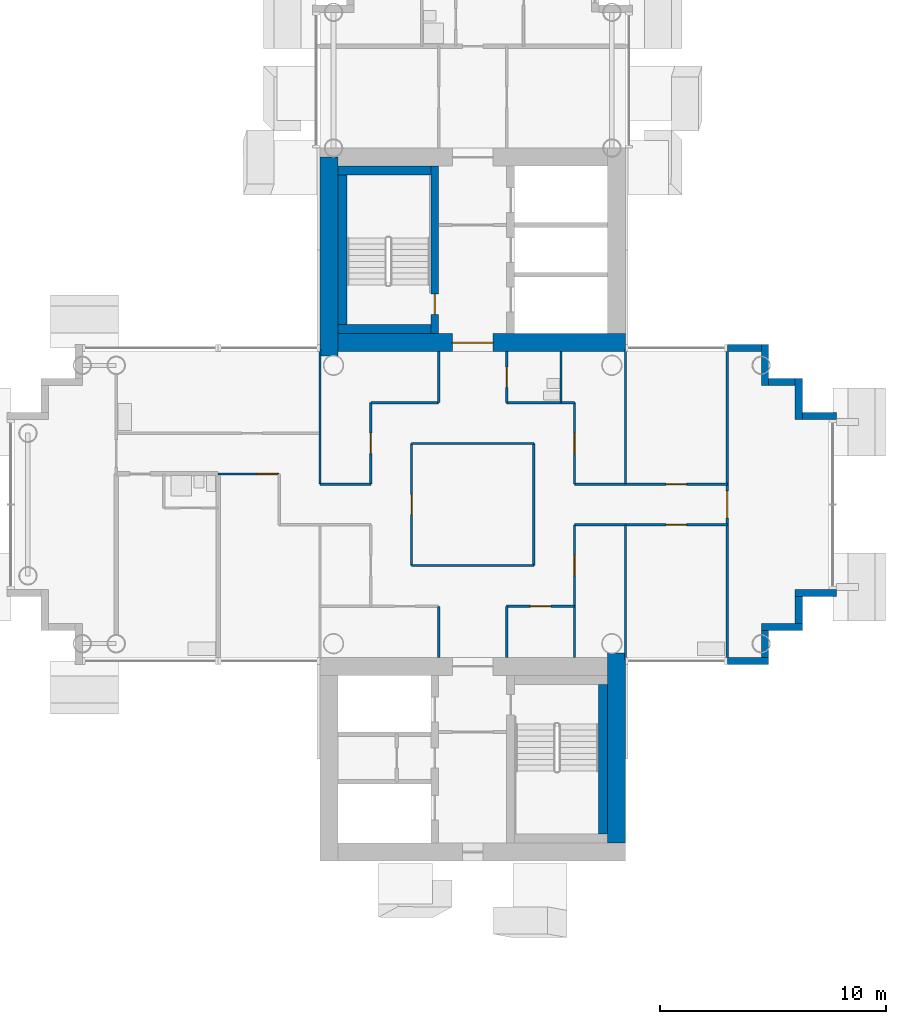
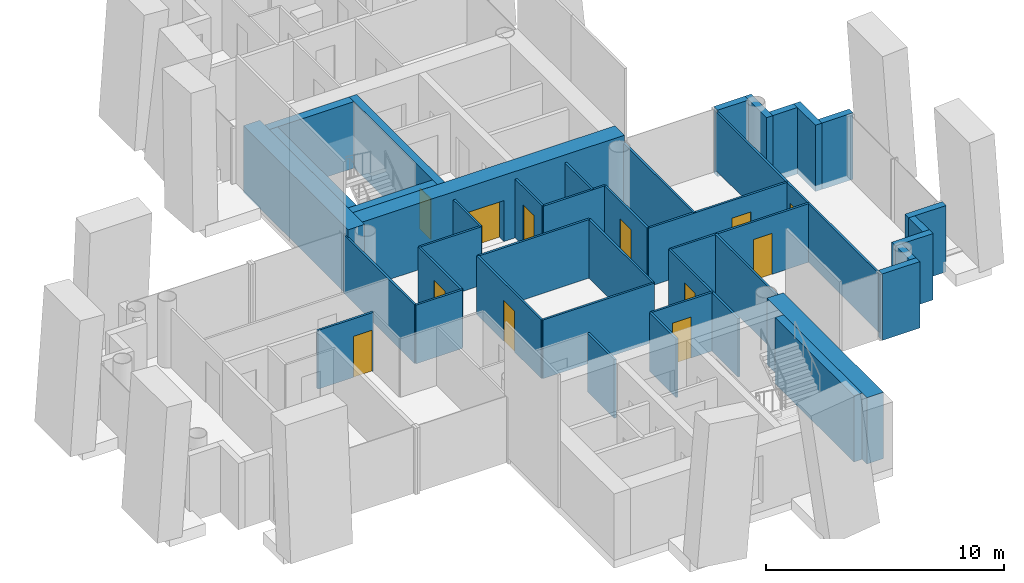
# One storey, part 10 of 19: 41 walls, 12 doors, 12 openings.
"""IFC4 building model written with IfcOpenShell, lengths in metres."""

from ifc_helpers import new_model, si_unit, direction, frame, frame_2d, origin, place, context, subcontext, project, spatial, rectangle, extrude, material, layer, layer_set, type_object, element, fill, save


model = new_model("IFC4")

# Units and contexts
model_context = context("Model", 3, precision=1e-05, world=origin(), true_north=direction((0.0, 1.0)))
body_context = subcontext(model_context, "Body", "Model", "MODEL_VIEW")
ifc_project = project(units=[si_unit("LENGTHUNIT", "METRE"), si_unit("AREAUNIT", "SQUARE_METRE"), si_unit("VOLUMEUNIT", "CUBIC_METRE"), si_unit("PLANEANGLEUNIT", "RADIAN"), si_unit("MASSUNIT", "GRAM", prefix="KILO")], contexts=[model_context])

# Site, building, storey
site_placement = place(None, origin())
site = spatial("IfcSite", under=ifc_project, at=site_placement, CompositionType="ELEMENT")
building_placement = place(site_placement, origin())
building = spatial("IfcBuilding", under=site, at=building_placement, Name="Ipe Terrace Towers", CompositionType="ELEMENT")
storey_placement = place(building_placement, frame((0.0, 0.0, 137.10009765625)))
storey = spatial("IfcBuildingStorey", under=building, at=storey_placement, Name="L37", CompositionType="ELEMENT", Elevation=137.10009765625)

# Walls
ifc_material_1 = material(Name="Concrete C40/50 with buff precast cladding", Category="concrete")
ifc_layer_1 = layer(ifc_material_1, 0.320068359375)
ifc_layer_set_1 = layer_set([ifc_layer_1], Name="BUFF CLADDING WALL 320")
wall_type_1 = type_object("IfcWallType", Name="BUFF CLADDING WALL 320", PredefinedType="STANDARD", material=ifc_layer_set_1)
wall_1_placement = place(storey_placement, frame((47.25, -6.909912109375, -0.300048828125), z_axis=(0.0, 0.0, 1.0), x_axis=(1.0, 0.0, 0.0)))
element("IfcWall", 1, at=wall_1_placement, inside=storey, type_object=wall_type_1, Name="T2-W-L37-03a wall", PredefinedType="STANDARD", context=body_context, shape_type="SweptSolid", body=[
    extrude(rectangle(XDim=1.820068359375, YDim=0.320068359375, at=frame_2d((0.91015625, 0.0))), origin(), (0.0, 0.0, 1.0), 3.39990234375),
])
wall_2_placement = place(storey_placement, frame((48.909912109375, -6.75, -0.300048828125), z_axis=(0.0, 0.0, 1.0), x_axis=(0.0, 1.0, 0.0)))
element("IfcWall", 2, at=wall_2_placement, inside=storey, type_object=wall_type_1, Name="T2-W-L37-04a wall", PredefinedType="STANDARD", context=body_context, shape_type="SweptSolid", body=[
    extrude(rectangle(XDim=1.179931640625, YDim=0.320068359375, at=frame_2d((0.58984375, 0.0))), origin(), (0.0, 0.0, 1.0), 3.39990234375),
])
wall_3_placement = place(storey_placement, frame((48.75, -5.409912109375, -0.300048828125), z_axis=(0.0, 0.0, 1.0), x_axis=(1.0, 0.0, 0.0)))
element("IfcWall", 3, at=wall_3_placement, inside=storey, type_object=wall_type_1, Name="T2-W-L37-05a wall", PredefinedType="STANDARD", context=body_context, shape_type="SweptSolid", body=[
    extrude(rectangle(XDim=1.820068359375, YDim=0.320068359375, at=frame_2d((0.91015625, 0.0))), origin(), (0.0, 0.0, 1.0), 3.39990234375),
])
wall_4_placement = place(storey_placement, frame((50.409912109375, -5.25, -0.300048828125), z_axis=(0.0, 0.0, 1.0), x_axis=(0.0, 1.0, 0.0)))
element("IfcWall", 4, at=wall_4_placement, inside=storey, type_object=wall_type_1, Name="T2-W-L37-06a wall", PredefinedType="STANDARD", context=body_context, shape_type="SweptSolid", body=[
    extrude(rectangle(XDim=1.179931640625, YDim=0.320068359375, at=frame_2d((0.58984375, 0.0))), origin(), (0.0, 0.0, 1.0), 3.39990234375),
])
wall_5_placement = place(storey_placement, frame((50.25, -3.909912109375, -0.300048828125), z_axis=(0.0, 0.0, 1.0), x_axis=(1.0, 0.0, 0.0)))
element("IfcWall", 5, at=wall_5_placement, inside=storey, type_object=wall_type_1, Name="T2-W-L37-07a wall", PredefinedType="STANDARD", context=body_context, shape_type="SweptSolid", body=[
    extrude(rectangle(XDim=1.820068359375, YDim=0.320068359375, at=frame_2d((0.91015625, 0.0))), origin(), (0.0, 0.0, 1.0), 3.39990234375),
])
wall_6_placement = place(storey_placement, frame((52.070068359375, 3.909912109375, -0.300048828125), z_axis=(0.0, 0.0, 1.0), x_axis=(-1.0, 0.0, 0.0)))
element("IfcWall", 6, at=wall_6_placement, inside=storey, type_object=wall_type_1, Name="T2-W-L37-09a wall", PredefinedType="STANDARD", context=body_context, shape_type="SweptSolid", body=[
    extrude(rectangle(XDim=1.5, YDim=0.320068359375, at=frame_2d((0.75, 0.0))), origin(), (0.0, 0.0, 1.0), 3.39990234375),
])
wall_7_placement = place(storey_placement, frame((50.409912109375, 3.75, -0.300048828125), z_axis=(0.0, 0.0, 1.0), x_axis=(0.0, 1.0, 0.0)))
element("IfcWall", 7, at=wall_7_placement, inside=storey, type_object=wall_type_1, Name="T2-W-L37-10a wall", PredefinedType="STANDARD", context=body_context, shape_type="SweptSolid", body=[
    extrude(rectangle(XDim=1.820068359375, YDim=0.320068359375, at=frame_2d((0.91015625, 0.0))), origin(), (0.0, 0.0, 1.0), 3.39990234375),
])
wall_8_placement = place(storey_placement, frame((50.25, 5.409912109375, -0.300048828125), z_axis=(0.0, 0.0, 1.0), x_axis=(-1.0, 0.0, 0.0)))
element("IfcWall", 8, at=wall_8_placement, inside=storey, type_object=wall_type_1, Name="T2-W-L37-11a wall", PredefinedType="STANDARD", context=body_context, shape_type="SweptSolid", body=[
    extrude(rectangle(XDim=1.179931640625, YDim=0.320068359375, at=frame_2d((0.58984375, 0.0))), origin(), (0.0, 0.0, 1.0), 3.39990234375),
])
wall_9_placement = place(storey_placement, frame((48.909912109375, 5.25, -0.300048828125), z_axis=(0.0, 0.0, 1.0), x_axis=(0.0, 1.0, 0.0)))
element("IfcWall", 9, at=wall_9_placement, inside=storey, type_object=wall_type_1, Name="T2-W-L37-12a wall", PredefinedType="STANDARD", context=body_context, shape_type="SweptSolid", body=[
    extrude(rectangle(XDim=1.820068359375, YDim=0.320068359375, at=frame_2d((0.91015625, 0.0))), origin(), (0.0, 0.0, 1.0), 3.39990234375),
])
wall_10_placement = place(storey_placement, frame((48.75, 6.909912109375, -0.300048828125), z_axis=(0.0, 0.0, 1.0), x_axis=(-1.0, 0.0, 0.0)))
element("IfcWall", 10, at=wall_10_placement, inside=storey, type_object=wall_type_1, Name="T2-W-L37-13a wall", PredefinedType="STANDARD", context=body_context, shape_type="SweptSolid", body=[
    extrude(rectangle(XDim=1.5, YDim=0.320068359375, at=frame_2d((0.75, 0.0))), origin(), (0.0, 0.0, 1.0), 3.39990234375),
])

# Wall, opening, door
ifc_material_2 = material(Name="Gypsum board partition", Category="plasterboard")
ifc_layer_2 = layer(ifc_material_2, 0.10009765625)
ifc_layer_set_2 = layer_set([ifc_layer_2], Name="Gypsum board partition 100 mm")
wall_type_2 = type_object("IfcWallType", Name="Gypsum board partition 100 mm", PredefinedType="PARTITIONING", material=ifc_layer_set_2)
wall_11_placement = place(storey_placement, frame((40.5, -4.5, 0.0), z_axis=(0.0, 0.0, 1.0), x_axis=(-1.0, 0.0, 0.0)))
wall_11 = element("IfcWall", 11, at=wall_11_placement, inside=storey, type_object=wall_type_2, Name="Gypsum board partition T2 L37 W01", PredefinedType="PARTITIONING", context=body_context, shape_type="SweptSolid", body=[
    extrude(rectangle(XDim=3.0, YDim=0.10009765625, at=frame_2d((1.5, 0.0))), origin(), (0.0, 0.0, 1.0), 3.0),
])
opening_1_placement = place(wall_11_placement, frame((1.050048828125, 0.0, 0.0)))
opening_1 = element("IfcOpeningElement", 12, at=opening_1_placement, cuts=wall_11, Name="Opening T2-Z3A-07", PredefinedType="OPENING", context=body_context, shape_type="SweptSolid", body=[
    extrude(rectangle(XDim=0.89990234375, YDim=2.10009765625, at=frame_2d((0.449951171875, 1.050048828125))), frame((0.0, 0.06005859375, 0.0), z_axis=(0.0, -1.0, 0.0), x_axis=(1.0, 0.0, 0.0)), (0.0, 0.0, 1.0), 0.1201171875),
])
ifc_material_3 = material(Name="Timber door leaf", Category="wood")
door_type_1 = type_object("IfcDoorType", Name="Lounge door 900 x 2100", OperationType="NOTDEFINED", PredefinedType="DOOR", material=ifc_material_3)
door_1_placement = place(opening_1_placement, origin())
door_1 = element("IfcDoor", 13, at=door_1_placement, inside=storey, type_object=door_type_1, Name="Lounge door T2-Z3A-07", OperationType="SINGLE_SWING_LEFT", OverallHeight=2.10009765625, OverallWidth=0.89990234375, PredefinedType="DOOR", context=body_context, shape_type="SweptSolid", body=[
    extrude(rectangle(XDim=0.89990234375, YDim=2.10009765625, at=frame_2d((0.449951171875, 1.050048828125))), frame((0.0, 0.02490234375, 0.0), z_axis=(0.0, -1.0, 0.0), x_axis=(1.0, 0.0, 0.0)), (0.0, 0.0, 1.0), 0.050048828125),
])
fill(opening_1, door_1)

# Wall
wall_12_placement = place(storey_placement, frame((38.699951171875, -2.699951171875, 0.0), z_axis=(0.0, 0.0, 1.0), x_axis=(-1.0, 0.0, 0.0)))
element("IfcWall", 14, at=wall_12_placement, inside=storey, type_object=wall_type_2, Name="Gypsum board partition T2 L37 W03", PredefinedType="PARTITIONING", context=body_context, shape_type="SweptSolid", body=[
    extrude(rectangle(XDim=5.39990234375, YDim=0.10009765625, at=frame_2d((2.699951171875, 0.0))), origin(), (0.0, 0.0, 1.0), 3.0),
])

# Wall, opening, door
wall_13_placement = place(storey_placement, frame((47.25, -0.89990234375, 0.0), z_axis=(0.0, 0.0, 1.0), x_axis=(-1.0, 0.0, 0.0)))
wall_13 = element("IfcWall", 15, at=wall_13_placement, inside=storey, type_object=wall_type_2, Name="Gypsum board partition T2 L37 W04", PredefinedType="PARTITIONING", context=body_context, shape_type="SweptSolid", body=[
    extrude(rectangle(XDim=6.75, YDim=0.10009765625, at=frame_2d((3.375, 0.0))), origin(), (0.0, 0.0, 1.0), 3.0),
])
opening_2_placement = place(wall_13_placement, frame((1.800048828125, 0.0, 0.0)))
opening_2 = element("IfcOpeningElement", 16, at=opening_2_placement, cuts=wall_13, Name="Opening T2-Z3A-15", PredefinedType="OPENING", context=body_context, shape_type="SweptSolid", body=[
    extrude(rectangle(XDim=0.89990234375, YDim=2.10009765625, at=frame_2d((0.449951171875, 1.050048828125))), frame((0.0, 0.06005859375, 0.0), z_axis=(0.0, -1.0, 0.0), x_axis=(1.0, 0.0, 0.0)), (0.0, 0.0, 1.0), 0.1201171875),
])
door_2_placement = place(opening_2_placement, origin())
door_2 = element("IfcDoor", 17, at=door_2_placement, inside=storey, type_object=door_type_1, Name="Lounge door T2-Z3A-15", OperationType="SINGLE_SWING_RIGHT", OverallHeight=2.10009765625, OverallWidth=0.89990234375, PredefinedType="DOOR", context=body_context, shape_type="SweptSolid", body=[
    extrude(rectangle(XDim=0.89990234375, YDim=2.10009765625, at=frame_2d((0.449951171875, 1.050048828125))), frame((0.0, 0.02490234375, 0.0), z_axis=(0.0, -1.0, 0.0), x_axis=(1.0, 0.0, 0.0)), (0.0, 0.0, 1.0), 0.050048828125),
])
fill(opening_2, door_2)

wall_14_placement = place(storey_placement, frame((47.25, 0.89990234375, 0.0), z_axis=(0.0, 0.0, 1.0), x_axis=(-1.0, 0.0, 0.0)))
wall_14 = element("IfcWall", 18, at=wall_14_placement, inside=storey, type_object=wall_type_2, Name="Gypsum board partition T2 L37 W07", PredefinedType="PARTITIONING", context=body_context, shape_type="SweptSolid", body=[
    extrude(rectangle(XDim=6.75, YDim=0.10009765625, at=frame_2d((3.375, 0.0))), origin(), (0.0, 0.0, 1.0), 3.0),
])
opening_3_placement = place(wall_14_placement, frame((1.800048828125, 0.0, 0.0)))
opening_3 = element("IfcOpeningElement", 19, at=opening_3_placement, cuts=wall_14, Name="Opening T2-Z3A-14", PredefinedType="OPENING", context=body_context, shape_type="SweptSolid", body=[
    extrude(rectangle(XDim=0.89990234375, YDim=2.10009765625, at=frame_2d((0.449951171875, 1.050048828125))), frame((0.0, 0.06005859375, 0.0), z_axis=(0.0, -1.0, 0.0), x_axis=(1.0, 0.0, 0.0)), (0.0, 0.0, 1.0), 0.1201171875),
])
door_3_placement = place(opening_3_placement, origin())
door_3 = element("IfcDoor", 20, at=door_3_placement, inside=storey, type_object=door_type_1, Name="Lounge door T2-Z3A-14", OperationType="SINGLE_SWING_LEFT", OverallHeight=2.10009765625, OverallWidth=0.89990234375, PredefinedType="DOOR", context=body_context, shape_type="SweptSolid", body=[
    extrude(rectangle(XDim=0.89990234375, YDim=2.10009765625, at=frame_2d((0.449951171875, 1.050048828125))), frame((0.0, 0.02490234375, 0.0), z_axis=(0.0, -1.0, 0.0), x_axis=(1.0, 0.0, 0.0)), (0.0, 0.0, 1.0), 0.050048828125),
])
fill(opening_3, door_3)

# Wall
wall_15_placement = place(storey_placement, frame((31.5, 0.89990234375, 0.0), z_axis=(0.0, 0.0, 1.0), x_axis=(-1.0, 0.0, 0.0)))
element("IfcWall", 21, at=wall_15_placement, inside=storey, type_object=wall_type_2, Name="Gypsum board partition T2 L37 W08", PredefinedType="PARTITIONING", context=body_context, shape_type="SweptSolid", body=[
    extrude(rectangle(XDim=2.25, YDim=0.10009765625, at=frame_2d((1.125, 0.0))), origin(), (0.0, 0.0, 1.0), 3.0),
])

# Wall, opening, door
wall_16_placement = place(storey_placement, frame((27.449951171875, 1.35009765625, 0.0), z_axis=(0.0, 0.0, 1.0), x_axis=(-1.0, 0.0, 0.0)))
wall_16 = element("IfcWall", 22, at=wall_16_placement, inside=storey, type_object=wall_type_2, Name="Gypsum board partition T2 L37 W09", PredefinedType="PARTITIONING", context=body_context, shape_type="SweptSolid", body=[
    extrude(rectangle(XDim=2.699951171875, YDim=0.10009765625, at=frame_2d((1.35009765625, 0.0))), origin(), (0.0, 0.0, 1.0), 3.0),
])
opening_4_placement = place(wall_16_placement, frame((0.070068359375, 0.0, 0.0)))
opening_4 = element("IfcOpeningElement", 23, at=opening_4_placement, cuts=wall_16, Name="Opening T2-Z3A-09", PredefinedType="OPENING", context=body_context, shape_type="SweptSolid", body=[
    extrude(rectangle(XDim=0.89990234375, YDim=2.10009765625, at=frame_2d((0.449951171875, 1.050048828125))), frame((0.0, 0.06005859375, 0.0), z_axis=(0.0, -1.0, 0.0), x_axis=(1.0, 0.0, 0.0)), (0.0, 0.0, 1.0), 0.1201171875),
])
door_4_placement = place(opening_4_placement, origin())
door_4 = element("IfcDoor", 24, at=door_4_placement, inside=storey, type_object=door_type_1, Name="Lounge door T2-Z3A-09", OperationType="SINGLE_SWING_RIGHT", OverallHeight=2.10009765625, OverallWidth=0.89990234375, PredefinedType="DOOR", context=body_context, shape_type="SweptSolid", body=[
    extrude(rectangle(XDim=0.89990234375, YDim=2.10009765625, at=frame_2d((0.449951171875, 1.050048828125))), frame((0.0, 0.02490234375, 0.0), z_axis=(0.0, -1.0, 0.0), x_axis=(1.0, 0.0, 0.0)), (0.0, 0.0, 1.0), 0.050048828125),
])
fill(opening_4, door_4)

# Walls
wall_17_placement = place(storey_placement, frame((38.699951171875, 2.699951171875, 0.0), z_axis=(0.0, 0.0, 1.0), x_axis=(-1.0, 0.0, 0.0)))
element("IfcWall", 25, at=wall_17_placement, inside=storey, type_object=wall_type_2, Name="Gypsum board partition T2 L37 W11", PredefinedType="PARTITIONING", context=body_context, shape_type="SweptSolid", body=[
    extrude(rectangle(XDim=5.39990234375, YDim=0.10009765625, at=frame_2d((2.699951171875, 0.0))), origin(), (0.0, 0.0, 1.0), 3.0),
])
for number, where, z_axis, x_axis, name in (
    (26, (40.5, 4.5, 0.0), (0.0, 0.0, 1.0), (-1.0, 0.0, 0.0), "Gypsum board partition T2 L37 W13"),
    (27, (34.5, 4.5, 0.0), (0.0, 0.0, 1.0), (-1.0, 0.0, 0.0), "Gypsum board partition T2 L37 W14"),
):
    element("IfcWall", number, at=place(storey_placement, frame(where, z_axis=z_axis, x_axis=x_axis)), inside=storey, type_object=wall_type_2, Name=name, PredefinedType="PARTITIONING", context=body_context, shape_type="SweptSolid", body=[
        extrude(rectangle(XDim=3.0, YDim=0.10009765625, at=frame_2d((1.5, 0.0))), origin(), (0.0, 0.0, 1.0), 3.0),
    ])

# Wall, opening, door
wall_18_placement = place(storey_placement, frame((47.25, -6.85009765625, 0.0), z_axis=(0.0, 0.0, 1.0), x_axis=(0.0, 1.0, 0.0)))
wall_18 = element("IfcWall", 28, at=wall_18_placement, inside=storey, type_object=wall_type_2, Name="Gypsum board partition T2 L37 W17", PredefinedType="PARTITIONING", context=body_context, shape_type="SweptSolid", body=[
    extrude(rectangle(XDim=13.7001953125, YDim=0.10009765625, at=frame_2d((6.85009765625, 0.0))), origin(), (0.0, 0.0, 1.0), 3.0),
])
opening_5_placement = place(wall_18_placement, frame((6.25, 0.0, 0.0)))
opening_5 = element("IfcOpeningElement", 29, at=opening_5_placement, cuts=wall_18, Name="Opening T2-Z3A-16", PredefinedType="OPENING", context=body_context, shape_type="SweptSolid", body=[
    extrude(rectangle(XDim=1.199951171875, YDim=2.10009765625, at=frame_2d((0.60009765625, 1.050048828125))), frame((0.0, 0.06005859375, 0.0), z_axis=(0.0, -1.0, 0.0), x_axis=(1.0, 0.0, 0.0)), (0.0, 0.0, 1.0), 0.1201171875),
])
ifc_material_4 = material(Name="Timber door leaf", Category="wood")
door_type_2 = type_object("IfcDoorType", Name="Lounge door 1200 x 2100", OperationType="NOTDEFINED", PredefinedType="DOOR", material=ifc_material_4)
door_5_placement = place(opening_5_placement, origin())
door_5 = element("IfcDoor", 30, at=door_5_placement, inside=storey, type_object=door_type_2, Name="Lounge door T2-Z3A-16", OperationType="SINGLE_SWING_RIGHT", OverallHeight=2.10009765625, OverallWidth=1.199951171875, PredefinedType="DOOR", context=body_context, shape_type="SweptSolid", body=[
    extrude(rectangle(XDim=1.199951171875, YDim=2.10009765625, at=frame_2d((0.60009765625, 1.050048828125))), frame((0.0, 0.02490234375, 0.0), z_axis=(0.0, -1.0, 0.0), x_axis=(1.0, 0.0, 0.0)), (0.0, 0.0, 1.0), 0.050048828125),
])
fill(opening_5, door_5)

# Walls
for number, where, z_axis, x_axis, name in (
    (31, (42.75, -6.85009765625, 0.0), (0.0, 0.0, 1.0), (0.0, 1.0, 0.0), "Gypsum board partition T2 L37 W18"),
    (32, (42.75, 0.89990234375, 0.0), (0.0, 0.0, 1.0), (0.0, 1.0, 0.0), "Gypsum board partition T2 L37 W19"),
):
    element("IfcWall", number, at=place(storey_placement, frame(where, z_axis=z_axis, x_axis=x_axis)), inside=storey, type_object=wall_type_2, Name=name, PredefinedType="PARTITIONING", context=body_context, shape_type="SweptSolid", body=[
        extrude(rectangle(XDim=5.9501953125, YDim=0.10009765625, at=frame_2d((2.97509765625, 0.0))), origin(), (0.0, 0.0, 1.0), 3.0),
    ])

# Wall, opening, door
wall_19_placement = place(storey_placement, frame((40.5, -6.75, 0.0), z_axis=(0.0, 0.0, 1.0), x_axis=(0.0, 1.0, 0.0)))
wall_19 = element("IfcWall", 33, at=wall_19_placement, inside=storey, type_object=wall_type_2, Name="Gypsum board partition T2 L37 W20", PredefinedType="PARTITIONING", context=body_context, shape_type="SweptSolid", body=[
    extrude(rectangle(XDim=5.85009765625, YDim=0.10009765625, at=frame_2d((2.925048828125, 0.0))), origin(), (0.0, 0.0, 1.0), 3.0),
])
opening_6_placement = place(wall_19_placement, frame((3.60009765625, 0.0, 0.0)))
opening_6 = element("IfcOpeningElement", 34, at=opening_6_placement, cuts=wall_19, Name="Opening T2-Z3A-06", PredefinedType="OPENING", context=body_context, shape_type="SweptSolid", body=[
    extrude(rectangle(XDim=0.89990234375, YDim=2.10009765625, at=frame_2d((0.449951171875, 1.050048828125))), frame((0.0, 0.06005859375, 0.0), z_axis=(0.0, -1.0, 0.0), x_axis=(1.0, 0.0, 0.0)), (0.0, 0.0, 1.0), 0.1201171875),
])
door_6_placement = place(opening_6_placement, origin())
door_6 = element("IfcDoor", 35, at=door_6_placement, inside=storey, type_object=door_type_1, Name="Lounge door T2-Z3A-06", OperationType="SINGLE_SWING_RIGHT", OverallHeight=2.10009765625, OverallWidth=0.89990234375, PredefinedType="DOOR", context=body_context, shape_type="SweptSolid", body=[
    extrude(rectangle(XDim=0.89990234375, YDim=2.10009765625, at=frame_2d((0.449951171875, 1.050048828125))), frame((0.0, 0.02490234375, 0.0), z_axis=(0.0, -1.0, 0.0), x_axis=(1.0, 0.0, 0.0)), (0.0, 0.0, 1.0), 0.050048828125),
])
fill(opening_6, door_6)

wall_20_placement = place(storey_placement, frame((40.5, 0.89990234375, 0.0), z_axis=(0.0, 0.0, 1.0), x_axis=(0.0, 1.0, 0.0)))
wall_20 = element("IfcWall", 36, at=wall_20_placement, inside=storey, type_object=wall_type_2, Name="Gypsum board partition T2 L37 W21", PredefinedType="PARTITIONING", context=body_context, shape_type="SweptSolid", body=[
    extrude(rectangle(XDim=3.60009765625, YDim=0.10009765625, at=frame_2d((1.800048828125, 0.0))), origin(), (0.0, 0.0, 1.0), 3.0),
])
opening_7_placement = place(wall_20_placement, frame((1.35009765625, 0.0, 0.0)))
opening_7 = element("IfcOpeningElement", 37, at=opening_7_placement, cuts=wall_20, Name="Opening T2-Z3A-08", PredefinedType="OPENING", context=body_context, shape_type="SweptSolid", body=[
    extrude(rectangle(XDim=0.89990234375, YDim=2.10009765625, at=frame_2d((0.449951171875, 1.050048828125))), frame((0.0, 0.06005859375, 0.0), z_axis=(0.0, -1.0, 0.0), x_axis=(1.0, 0.0, 0.0)), (0.0, 0.0, 1.0), 0.1201171875),
])
door_7_placement = place(opening_7_placement, origin())
door_7 = element("IfcDoor", 38, at=door_7_placement, inside=storey, type_object=door_type_1, Name="Lounge door T2-Z3A-08", OperationType="SINGLE_SWING_RIGHT", OverallHeight=2.10009765625, OverallWidth=0.89990234375, PredefinedType="DOOR", context=body_context, shape_type="SweptSolid", body=[
    extrude(rectangle(XDim=0.89990234375, YDim=2.10009765625, at=frame_2d((0.449951171875, 1.050048828125))), frame((0.0, 0.02490234375, 0.0), z_axis=(0.0, -1.0, 0.0), x_axis=(1.0, 0.0, 0.0)), (0.0, 0.0, 1.0), 0.050048828125),
])
fill(opening_7, door_7)

# Walls
wall_21_placement = place(storey_placement, frame((39.89990234375, 4.5, 0.0), z_axis=(0.0, 0.0, 1.0), x_axis=(0.0, 1.0, 0.0)))
element("IfcWall", 39, at=wall_21_placement, inside=storey, type_object=wall_type_2, Name="Gypsum board partition T2 L37 W22", PredefinedType="PARTITIONING", context=body_context, shape_type="SweptSolid", body=[
    extrude(rectangle(XDim=2.25, YDim=0.10009765625, at=frame_2d((1.125, 0.0))), origin(), (0.0, 0.0, 1.0), 3.0),
])
wall_22_placement = place(storey_placement, frame((38.699951171875, -2.699951171875, 0.0), z_axis=(0.0, 0.0, 1.0), x_axis=(0.0, 1.0, 0.0)))
element("IfcWall", 40, at=wall_22_placement, inside=storey, type_object=wall_type_2, Name="Gypsum board partition T2 L37 W23", PredefinedType="PARTITIONING", context=body_context, shape_type="SweptSolid", body=[
    extrude(rectangle(XDim=5.39990234375, YDim=0.10009765625, at=frame_2d((2.699951171875, 0.0))), origin(), (0.0, 0.0, 1.0), 3.0),
])
wall_23_placement = place(storey_placement, frame((37.5, -6.75, 0.0), z_axis=(0.0, 0.0, 1.0), x_axis=(0.0, 1.0, 0.0)))
element("IfcWall", 41, at=wall_23_placement, inside=storey, type_object=wall_type_2, Name="Gypsum board partition T2 L37 W25", PredefinedType="PARTITIONING", context=body_context, shape_type="SweptSolid", body=[
    extrude(rectangle(XDim=2.25, YDim=0.10009765625, at=frame_2d((1.125, 0.0))), origin(), (0.0, 0.0, 1.0), 3.0),
])

# Wall, opening, door
wall_24_placement = place(storey_placement, frame((37.5, 4.5, 0.0), z_axis=(0.0, 0.0, 1.0), x_axis=(0.0, 1.0, 0.0)))
wall_24 = element("IfcWall", 42, at=wall_24_placement, inside=storey, type_object=wall_type_2, Name="Gypsum board partition T2 L37 W26", PredefinedType="PARTITIONING", context=body_context, shape_type="SweptSolid", body=[
    extrude(rectangle(XDim=2.25, YDim=0.10009765625, at=frame_2d((1.125, 0.0))), origin(), (0.0, 0.0, 1.0), 3.0),
])
opening_8_placement = place(wall_24_placement, frame((0.675048828125, 0.0, 0.0)))
opening_8 = element("IfcOpeningElement", 43, at=opening_8_placement, cuts=wall_24, Name="Opening T2-Z3A-02", PredefinedType="OPENING", context=body_context, shape_type="SweptSolid", body=[
    extrude(rectangle(XDim=0.89990234375, YDim=2.10009765625, at=frame_2d((0.449951171875, 1.050048828125))), frame((0.0, 0.06005859375, 0.0), z_axis=(0.0, -1.0, 0.0), x_axis=(1.0, 0.0, 0.0)), (0.0, 0.0, 1.0), 0.1201171875),
])
ifc_material_5 = material(Name="Timber door leaf", Category="wood")
door_type_3 = type_object("IfcDoorType", Name="Bathroom door 900 x 2100", OperationType="NOTDEFINED", PredefinedType="DOOR", material=ifc_material_5)
door_8_placement = place(opening_8_placement, origin())
door_8 = element("IfcDoor", 44, at=door_8_placement, inside=storey, type_object=door_type_3, Name="Bathroom door T2-Z3A-02", OperationType="SINGLE_SWING_RIGHT", OverallHeight=2.10009765625, OverallWidth=0.89990234375, PredefinedType="DOOR", context=body_context, shape_type="SweptSolid", body=[
    extrude(rectangle(XDim=0.89990234375, YDim=2.10009765625, at=frame_2d((0.449951171875, 1.050048828125))), frame((0.0, 0.02490234375, 0.0), z_axis=(0.0, -1.0, 0.0), x_axis=(1.0, 0.0, 0.0)), (0.0, 0.0, 1.0), 0.050048828125),
])
fill(opening_8, door_8)

# Walls
for number, where, z_axis, x_axis, name in (
    (45, (34.5, -6.75, 0.0), (0.0, 0.0, 1.0), (0.0, 1.0, 0.0), "Gypsum board partition T2 L37 W29"),
    (46, (34.5, 4.5, 0.0), (0.0, 0.0, 1.0), (0.0, 1.0, 0.0), "Gypsum board partition T2 L37 W30"),
):
    element("IfcWall", number, at=place(storey_placement, frame(where, z_axis=z_axis, x_axis=x_axis)), inside=storey, type_object=wall_type_2, Name=name, PredefinedType="PARTITIONING", context=body_context, shape_type="SweptSolid", body=[
        extrude(rectangle(XDim=2.25, YDim=0.10009765625, at=frame_2d((1.125, 0.0))), origin(), (0.0, 0.0, 1.0), 3.0),
    ])

# Wall, opening, door
wall_25_placement = place(storey_placement, frame((33.300048828125, -2.699951171875, 0.0), z_axis=(0.0, 0.0, 1.0), x_axis=(0.0, 1.0, 0.0)))
wall_25 = element("IfcWall", 47, at=wall_25_placement, inside=storey, type_object=wall_type_2, Name="Gypsum board partition T2 L37 W33", PredefinedType="PARTITIONING", context=body_context, shape_type="SweptSolid", body=[
    extrude(rectangle(XDim=5.39990234375, YDim=0.10009765625, at=frame_2d((2.699951171875, 0.0))), origin(), (0.0, 0.0, 1.0), 3.0),
])
opening_9_placement = place(wall_25_placement, frame((2.25, 0.0, 0.0)))
opening_9 = element("IfcOpeningElement", 48, at=opening_9_placement, cuts=wall_25, Name="Opening T2-Z3A-01", PredefinedType="OPENING", context=body_context, shape_type="SweptSolid", body=[
    extrude(rectangle(XDim=0.89990234375, YDim=2.10009765625, at=frame_2d((0.449951171875, 1.050048828125))), frame((0.0, 0.06005859375, 0.0), z_axis=(0.0, -1.0, 0.0), x_axis=(1.0, 0.0, 0.0)), (0.0, 0.0, 1.0), 0.1201171875),
])
door_9_placement = place(opening_9_placement, origin())
door_9 = element("IfcDoor", 49, at=door_9_placement, inside=storey, type_object=door_type_1, Name="Lounge door T2-Z3A-01", OperationType="SINGLE_SWING_RIGHT", OverallHeight=2.10009765625, OverallWidth=0.89990234375, PredefinedType="DOOR", context=body_context, shape_type="SweptSolid", body=[
    extrude(rectangle(XDim=0.89990234375, YDim=2.10009765625, at=frame_2d((0.449951171875, 1.050048828125))), frame((0.0, 0.02490234375, 0.0), z_axis=(0.0, -1.0, 0.0), x_axis=(1.0, 0.0, 0.0)), (0.0, 0.0, 1.0), 0.050048828125),
])
fill(opening_9, door_9)

wall_26_placement = place(storey_placement, frame((31.5, 0.89990234375, 0.0), z_axis=(0.0, 0.0, 1.0), x_axis=(0.0, 1.0, 0.0)))
wall_26 = element("IfcWall", 50, at=wall_26_placement, inside=storey, type_object=wall_type_2, Name="Gypsum board partition T2 L37 W35", PredefinedType="PARTITIONING", context=body_context, shape_type="SweptSolid", body=[
    extrude(rectangle(XDim=3.60009765625, YDim=0.10009765625, at=frame_2d((1.800048828125, 0.0))), origin(), (0.0, 0.0, 1.0), 3.0),
])
opening_10_placement = place(wall_26_placement, frame((1.35009765625, 0.0, 0.0)))
opening_10 = element("IfcOpeningElement", 51, at=opening_10_placement, cuts=wall_26, Name="Opening T2-Z3A-03", PredefinedType="OPENING", context=body_context, shape_type="SweptSolid", body=[
    extrude(rectangle(XDim=0.89990234375, YDim=2.10009765625, at=frame_2d((0.449951171875, 1.050048828125))), frame((0.0, 0.06005859375, 0.0), z_axis=(0.0, -1.0, 0.0), x_axis=(1.0, 0.0, 0.0)), (0.0, 0.0, 1.0), 0.1201171875),
])
door_10_placement = place(opening_10_placement, origin())
door_10 = element("IfcDoor", 52, at=door_10_placement, inside=storey, type_object=door_type_1, Name="Lounge door T2-Z3A-03", OperationType="SINGLE_SWING_RIGHT", OverallHeight=2.10009765625, OverallWidth=0.89990234375, PredefinedType="DOOR", context=body_context, shape_type="SweptSolid", body=[
    extrude(rectangle(XDim=0.89990234375, YDim=2.10009765625, at=frame_2d((0.449951171875, 1.050048828125))), frame((0.0, 0.02490234375, 0.0), z_axis=(0.0, -1.0, 0.0), x_axis=(1.0, 0.0, 0.0)), (0.0, 0.0, 1.0), 0.050048828125),
])
fill(opening_10, door_10)

# Wall
wall_27_placement = place(storey_placement, frame((29.25, 0.89990234375, 0.0), z_axis=(0.0, 0.0, 1.0), x_axis=(0.0, 1.0, 0.0)))
element("IfcWall", 53, at=wall_27_placement, inside=storey, type_object=wall_type_2, Name="Gypsum board partition T2 L37 W37", PredefinedType="PARTITIONING", context=body_context, shape_type="SweptSolid", body=[
    extrude(rectangle(XDim=5.9501953125, YDim=0.10009765625, at=frame_2d((2.97509765625, 0.0))), origin(), (0.0, 0.0, 1.0), 3.0),
])

# Wall, opening, door
ifc_material_6 = material(Name="Concrete C50/60", Category="concrete")
ifc_layer_3 = layer(ifc_material_6, 0.35009765625)
ifc_layer_set_3 = layer_set([ifc_layer_3], Name="RW350 CORE SPINE WALL 350 C50-60")
wall_type_3 = type_object("IfcWallType", Name="RW350 CORE SPINE WALL 350 C50-60", PredefinedType="SHEAR", material=ifc_layer_set_3)
wall_28_placement = place(storey_placement, frame((34.324951171875, 7.550048828125, 0.0), z_axis=(0.0, 0.0, 1.0), x_axis=(0.0, 1.0, 0.0)))
wall_28 = element("IfcWall", 54, at=wall_28_placement, inside=storey, type_object=wall_type_3, Name="Core spine wall T2-C1-Z3-SW1", PredefinedType="SHEAR", context=body_context, shape_type="SweptSolid", body=[
    extrude(rectangle(XDim=7.39990234375, YDim=0.35009765625, at=frame_2d((3.699951171875, 0.0))), origin(), (0.0, 0.0, 1.0), 3.39990234375),
])
opening_11_placement = place(wall_28_placement, frame((0.85009765625, 0.0, 0.0)))
opening_11 = element("IfcOpeningElement", 55, at=opening_11_placement, cuts=wall_28, Name="Opening T2C1-SD", PredefinedType="OPENING", context=body_context, shape_type="SweptSolid", body=[
    extrude(rectangle(XDim=0.89990234375, YDim=2.10009765625, at=frame_2d((0.449951171875, 1.050048828125))), frame((0.0, 0.18505859375, 0.0), z_axis=(0.0, -1.0, 0.0), x_axis=(1.0, 0.0, 0.0)), (0.0, 0.0, 1.0), 0.3701171875),
])
ifc_material_7 = material(Name="Fire-rated timber door leaf", Category="wood")
door_type_4 = type_object("IfcDoorType", Name="Stair door 900 x 2100 FD60", OperationType="NOTDEFINED", PredefinedType="DOOR", material=ifc_material_7)
door_11_placement = place(opening_11_placement, origin())
door_11 = element("IfcDoor", 56, at=door_11_placement, inside=storey, type_object=door_type_4, Name="Stair door T2C1-SD", OperationType="SINGLE_SWING_LEFT", OverallHeight=2.10009765625, OverallWidth=0.89990234375, PredefinedType="DOOR", context=body_context, shape_type="SweptSolid", body=[
    extrude(rectangle(XDim=0.89990234375, YDim=2.10009765625, at=frame_2d((0.449951171875, 1.050048828125))), frame((0.0, 0.02490234375, 0.0), z_axis=(0.0, -1.0, 0.0), x_axis=(1.0, 0.0, 0.0)), (0.0, 0.0, 1.0), 0.050048828125),
])
fill(opening_11, door_11)

# Walls
ifc_material_8 = material(Name="Concrete C50/60", Category="concrete")
ifc_layer_4 = layer(ifc_material_8, 0.39990234375)
ifc_layer_set_4 = layer_set([ifc_layer_4], Name="RW400 CORE INFILL WALL 400 C50-60")
wall_type_4 = type_object("IfcWallType", Name="RW400 CORE INFILL WALL 400 C50-60", PredefinedType="SHEAR", material=ifc_layer_set_4)
wall_29_placement = place(storey_placement, frame((34.14990234375, 14.75, 0.0), z_axis=(0.0, 0.0, 1.0), x_axis=(-1.0, 0.0, 0.0)))
element("IfcWall", 57, at=wall_29_placement, inside=storey, type_object=wall_type_4, Name="Core infill wall T2-C1-far", PredefinedType="SHEAR", context=body_context, shape_type="SweptSolid", body=[
    extrude(rectangle(XDim=4.099853515625, YDim=0.39990234375, at=frame_2d((2.0498046875, 0.0))), origin(), (0.0, 0.0, 1.0), 3.39990234375),
])
wall_30_placement = place(storey_placement, frame((30.25, 7.949951171875, 0.0), z_axis=(0.0, 0.0, 1.0), x_axis=(0.0, 1.0, 0.0)))
element("IfcWall", 58, at=wall_30_placement, inside=storey, type_object=wall_type_4, Name="Core infill wall T2-C1-back", PredefinedType="SHEAR", context=body_context, shape_type="SweptSolid", body=[
    extrude(rectangle(XDim=6.60009765625, YDim=0.39990234375, at=frame_2d((3.300048828125, 0.0))), origin(), (0.0, 0.0, 1.0), 3.39990234375),
])
wall_31_placement = place(storey_placement, frame((34.14990234375, 7.75, 0.0), z_axis=(0.0, 0.0, 1.0), x_axis=(-1.0, 0.0, 0.0)))
element("IfcWall", 59, at=wall_31_placement, inside=storey, type_object=wall_type_4, Name="Core infill wall T2-C1-near", PredefinedType="SHEAR", context=body_context, shape_type="SweptSolid", body=[
    extrude(rectangle(XDim=4.099853515625, YDim=0.39990234375, at=frame_2d((2.0498046875, 0.0))), origin(), (0.0, 0.0, 1.0), 3.39990234375),
])
wall_32_placement = place(storey_placement, frame((41.75, -7.949951171875, 0.0), z_axis=(0.0, 0.0, 1.0), x_axis=(0.0, -1.0, 0.0)))
element("IfcWall", 60, at=wall_32_placement, inside=storey, type_object=wall_type_4, Name="Core infill wall T2-C2-back", PredefinedType="SHEAR", context=body_context, shape_type="SweptSolid", body=[
    extrude(rectangle(XDim=6.60009765625, YDim=0.39990234375, at=frame_2d((3.300048828125, 0.0))), origin(), (0.0, 0.0, 1.0), 3.39990234375),
])

# Wall, opening, door
ifc_material_9 = material(Name="Concrete C50/60", Category="concrete")
ifc_layer_5 = layer(ifc_material_9, 0.800048828125)
ifc_layer_set_5 = layer_set([ifc_layer_5], Name="RW800 CORE WALL 800 C50-60")
wall_type_5 = type_object("IfcWallType", Name="RW800 CORE WALL 800 C50-60", PredefinedType="SHEAR", material=ifc_layer_set_5)
wall_33_placement = place(storey_placement, frame((30.050048828125, 7.14990234375, 0.0), z_axis=(0.0, 0.0, 1.0), x_axis=(1.0, 0.0, 0.0)))
wall_33 = element("IfcWall", 61, at=wall_33_placement, inside=storey, type_object=wall_type_5, Name="Core wall T2-C1-Z3-W01", PredefinedType="SHEAR", context=body_context, shape_type="SweptSolid", body=[
    extrude(rectangle(XDim=12.699951171875, YDim=0.800048828125, at=frame_2d((6.35009765625, 0.0))), origin(), (0.0, 0.0, 1.0), 3.39990234375),
])
opening_12_placement = place(wall_33_placement, frame((5.050048828125, 0.0, 0.0)))
opening_12 = element("IfcOpeningElement", 62, at=opening_12_placement, cuts=wall_33, Name="Opening T2C1-ND", PredefinedType="OPENING", context=body_context, shape_type="SweptSolid", body=[
    extrude(rectangle(XDim=1.800048828125, YDim=2.10009765625, at=frame_2d((0.89990234375, 1.050048828125))), frame((0.0, 0.41015625, 0.0), z_axis=(0.0, -1.0, 0.0), x_axis=(1.0, 0.0, 0.0)), (0.0, 0.0, 1.0), 0.820068359375),
])
ifc_material_10 = material(Name="Fire-rated timber door leaf", Category="wood")
door_type_5 = type_object("IfcDoorType", Name="Fire door 1800 x 2100 FD30S", OperationType="NOTDEFINED", PredefinedType="DOOR", material=ifc_material_10)
door_12_placement = place(opening_12_placement, origin())
door_12 = element("IfcDoor", 63, at=door_12_placement, inside=storey, type_object=door_type_5, Name="Fire door T2C1-ND", OperationType="SINGLE_SWING_LEFT", OverallHeight=2.10009765625, OverallWidth=1.800048828125, PredefinedType="DOOR", context=body_context, shape_type="SweptSolid", body=[
    extrude(rectangle(XDim=1.800048828125, YDim=2.10009765625, at=frame_2d((0.89990234375, 1.050048828125))), frame((0.0, 0.02490234375, 0.0), z_axis=(0.0, -1.0, 0.0), x_axis=(1.0, 0.0, 0.0)), (0.0, 0.0, 1.0), 0.050048828125),
])
fill(opening_12, door_12)

# Walls
wall_34_placement = place(storey_placement, frame((29.64990234375, 15.347900390625, 0.0), z_axis=(0.0, 0.0, 1.0), x_axis=(0.0, -1.0, 0.0)))
element("IfcWall", 64, at=wall_34_placement, inside=storey, type_object=wall_type_5, Name="Core wall T2-C1-Z3-W04", PredefinedType="SHEAR", context=body_context, shape_type="SweptSolid", body=[
    extrude(rectangle(XDim=8.7958984375, YDim=0.800048828125, at=frame_2d((4.39794921875, 0.0))), origin(), (0.0, 0.0, 1.0), 3.39990234375),
])
wall_35_placement = place(storey_placement, frame((42.35009765625, -14.949951171875, 0.0), z_axis=(0.0, 0.0, 1.0), x_axis=(0.0, 1.0, 0.0)))
element("IfcWall", 65, at=wall_35_placement, inside=storey, type_object=wall_type_5, Name="Core wall T2-C2-Z3-W02", PredefinedType="SHEAR", context=body_context, shape_type="SweptSolid", body=[
    extrude(rectangle(XDim=8.39794921875, YDim=0.800048828125, at=frame_2d((4.198974609375, 0.0))), origin(), (0.0, 0.0, 1.0), 3.39990234375),
])

save(model, "model.ifc")
